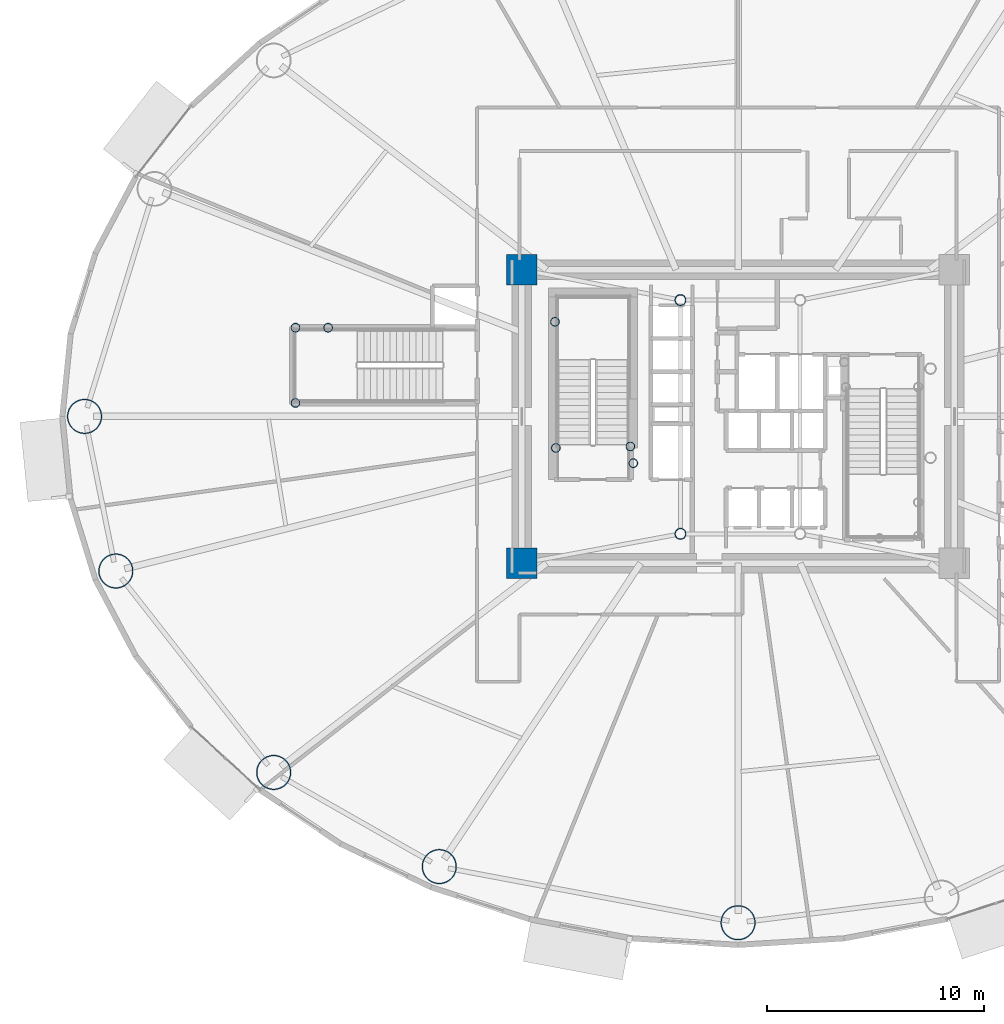
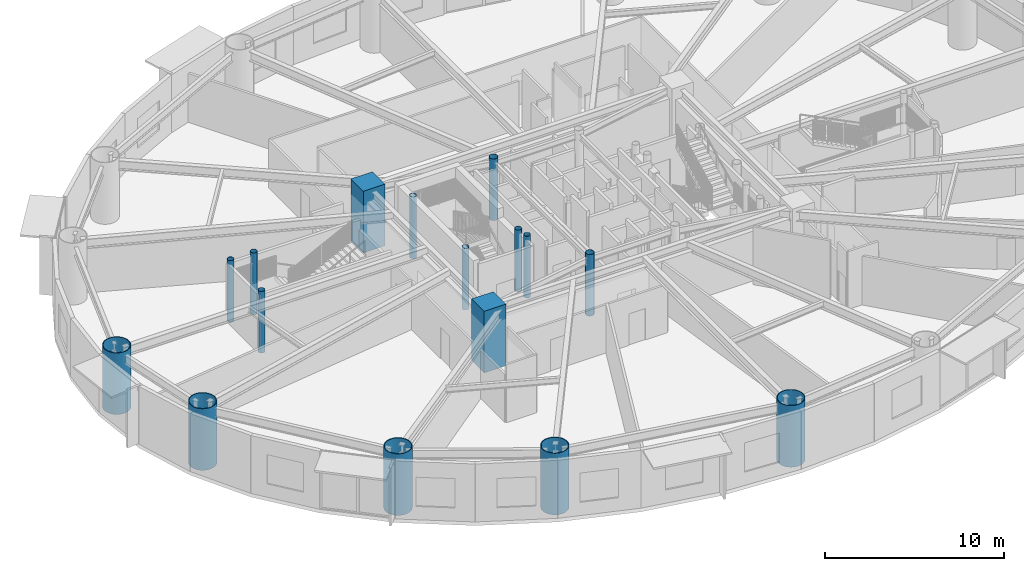
# One storey, part 1 of 32: 16 columns.
"""IFC4 building model written with IfcOpenShell, lengths in metres."""

from ifc_helpers import new_model, si_unit, direction, frame, origin, origin_2d, place, context, subcontext, project, spatial, rectangle, hollow_circle, extrude, material, material_profile, profile_set, type_object, element, save


model = new_model("IFC4")

# Units and contexts
model_context = context("Model", 3, precision=1e-05, world=origin(), true_north=direction((0.0, 1.0)))
body_context = subcontext(model_context, "Body", "Model", "MODEL_VIEW")
ifc_project = project(units=[si_unit("LENGTHUNIT", "METRE"), si_unit("AREAUNIT", "SQUARE_METRE"), si_unit("VOLUMEUNIT", "CUBIC_METRE"), si_unit("PLANEANGLEUNIT", "RADIAN"), si_unit("MASSUNIT", "GRAM", prefix="KILO")], contexts=[model_context])

# Site, building, storey
site_placement = place(None, origin())
site = spatial("IfcSite", under=ifc_project, at=site_placement, CompositionType="ELEMENT")
building_placement = place(site_placement, origin())
building = spatial("IfcBuilding", under=site, at=building_placement, Name="Linh Dai School and Residence Tower", CompositionType="ELEMENT")
storey_placement = place(building_placement, frame((0.0, 0.0, 40.800048828125)))
storey = spatial("IfcBuildingStorey", under=building, at=storey_placement, Name="L09", CompositionType="ELEMENT", Elevation=40.800048828125)

# Columns
ifc_material_1 = material(Name="Concrete B60 (C50/60)", Category="concrete")
ifc_material_profile_1 = material_profile(ifc_material_1, rectangle(XDim=1.39990234375, YDim=1.39990234375, at=origin_2d()), Name="RC 1400x1400")
ifc_profile_set_1 = profile_set([ifc_material_profile_1], Name="Concrete B60 (C50/60)")
column_type_1 = type_object("IfcColumnType", Name="COL-CC1", PredefinedType="COLUMN", material=ifc_profile_set_1)
for number, where, z_axis, x_axis, name in (
    (1, (26.050048828125, 20.25, 0.0), (0.0, 0.0, 1.0), (1.0, 0.0, 0.0), "L09 Core Corner Pier CC1"),
    (2, (26.050048828125, 33.75, 0.0), (0.0, 0.0, 1.0), (1.0, 0.0, 0.0), "L09 Core Corner Pier CC4"),
):
    element("IfcColumn", number, at=place(storey_placement, frame(where, z_axis=z_axis, x_axis=x_axis)), inside=storey, type_object=column_type_1, Name=name, PredefinedType="COLUMN", context=body_context, shape_type="SweptSolid", body=[
        extrude(rectangle(XDim=1.39990234375, YDim=1.39990234375, at=origin_2d()), origin(), (0.0, 0.0, 1.0), 4.199951171875),
    ])
ifc_material_2 = material(Name="Structural Steel S355JR", Category="steel")
ifc_material_profile_2 = material_profile(ifc_material_2, hollow_circle(Radius=0.203125, WallThickness=0.01611328125, at=origin_2d()), Name="CHS 406.4x16")
ifc_profile_set_2 = profile_set([ifc_material_profile_2], Name="Structural Steel S355JR")
column_type_2 = type_object("IfcColumnType", Name="COL-EC", PredefinedType="COLUMN", material=ifc_profile_set_2)
for number, where, z_axis, x_axis, name in (
    (3, (27.580078125, 31.35009765625, 0.0), (0.0, 0.0, 1.0), (1.0, 0.0, 0.0), "L09 Stair Shaft Landing Support Pier ST1NW"),
    (4, (31.050048828125, 25.6201171875, 0.0), (0.0, 0.0, 1.0), (1.0, 0.0, 0.0), "L09 Stair Shaft Landing Support Pier ST1SE"),
    (5, (31.179931640625, 24.85009765625, 0.0), (0.0, 0.0, 1.0), (1.0, 0.0, 0.0), "L09 Stair Shaft Landing Support Pier ST1SM"),
    (6, (27.6201171875, 25.550048828125, 0.0), (0.0, 0.0, 1.0), (1.0, 0.0, 0.0), "L09 Stair Shaft Landing Support Pier ST1SW"),
    (7, (15.64990234375, 27.6201171875, 0.0), (0.0, 0.0, 1.0), (1.0, 0.0, 0.0), "L09 Stair Shaft Landing Support Pier STS1SW"),
    (8, (15.64990234375, 31.080078125, 0.0), (0.0, 0.0, 1.0), (1.0, 0.0, 0.0), "L09 Stair Shaft Landing Support Pier STS1NW"),
    (9, (17.14990234375, 31.080078125, 0.0), (0.0, 0.0, 1.0), (1.0, 0.0, 0.0), "L09 Stair Shaft Landing Support Pier STS1ME"),
):
    element("IfcColumn", number, at=place(storey_placement, frame(where, z_axis=z_axis, x_axis=x_axis)), inside=storey, type_object=column_type_2, Name=name, PredefinedType="COLUMN", context=body_context, shape_type="SweptSolid", body=[
        extrude(hollow_circle(Radius=0.203125, WallThickness=0.01611328125, at=origin_2d()), origin(), (0.0, 0.0, 1.0), 4.199951171875),
    ])
ifc_material_profile_3 = material_profile(ifc_material_2, hollow_circle(Radius=0.800048828125, WallThickness=0.044921875, at=origin_2d()), Name="CHS 1600x45")
ifc_profile_set_3 = profile_set([ifc_material_profile_3], Name="Structural Steel S355JR")
column_type_3 = type_object("IfcColumnType", Name="COL-MC2", PredefinedType="COLUMN", material=ifc_profile_set_3)
for number, where, z_axis, x_axis, name in (
    (10, (5.949951171875, 27.0, 0.0), (0.0, 0.0, 1.0), (1.0, 0.0, 0.0), "L09 Perimeter CFT Mega-Column MC09"),
    (11, (7.38916015625, 19.891357421875, 0.0), (0.0, 0.0, 1.0), (1.0, 0.0, 0.0), "L09 Perimeter CFT Mega-Column MC10"),
    (12, (14.647216796875, 10.630859375, 0.0), (0.0, 0.0, 1.0), (1.0, 0.0, 0.0), "L09 Perimeter CFT Mega-Column MC11"),
    (13, (22.26171875, 6.30078125, 0.0), (0.0, 0.0, 1.0), (1.0, 0.0, 0.0), "L09 Perimeter CFT Mega-Column MC12"),
    (14, (36.0, 3.719970703125, 0.0), (0.0, 0.0, 1.0), (1.0, 0.0, 0.0), "L09 Perimeter CFT Mega-Column MC13"),
):
    element("IfcColumn", number, at=place(storey_placement, frame(where, z_axis=z_axis, x_axis=x_axis)), inside=storey, type_object=column_type_3, Name=name, PredefinedType="COLUMN", context=body_context, shape_type="SweptSolid", body=[
        extrude(hollow_circle(Radius=0.800048828125, WallThickness=0.044921875, at=origin_2d()), origin(), (0.0, 0.0, 1.0), 4.199951171875),
    ])
ifc_material_profile_4 = material_profile(ifc_material_2, hollow_circle(Radius=0.25390625, WallThickness=0.02001953125, at=origin_2d()), Name="CHS 508x20")
ifc_profile_set_4 = profile_set([ifc_material_profile_4], Name="Structural Steel S355JR")
column_type_4 = type_object("IfcColumnType", Name="COL-MCP", PredefinedType="COLUMN", material=ifc_profile_set_4)
for number, where, z_axis, x_axis, name in (
    (15, (33.35009765625, 21.60009765625, 0.0), (0.0, 0.0, 1.0), (1.0, 0.0, 0.0), "L09 Core Mast Support Pier MCP1"),
    (16, (33.35009765625, 32.35009765625, 0.0), (0.0, 0.0, 1.0), (1.0, 0.0, 0.0), "L09 Core Mast Support Pier MCP4"),
):
    element("IfcColumn", number, at=place(storey_placement, frame(where, z_axis=z_axis, x_axis=x_axis)), inside=storey, type_object=column_type_4, Name=name, PredefinedType="COLUMN", context=body_context, shape_type="SweptSolid", body=[
        extrude(hollow_circle(Radius=0.25390625, WallThickness=0.02001953125, at=origin_2d()), origin(), (0.0, 0.0, 1.0), 4.199951171875),
    ])

save(model, "model.ifc")
